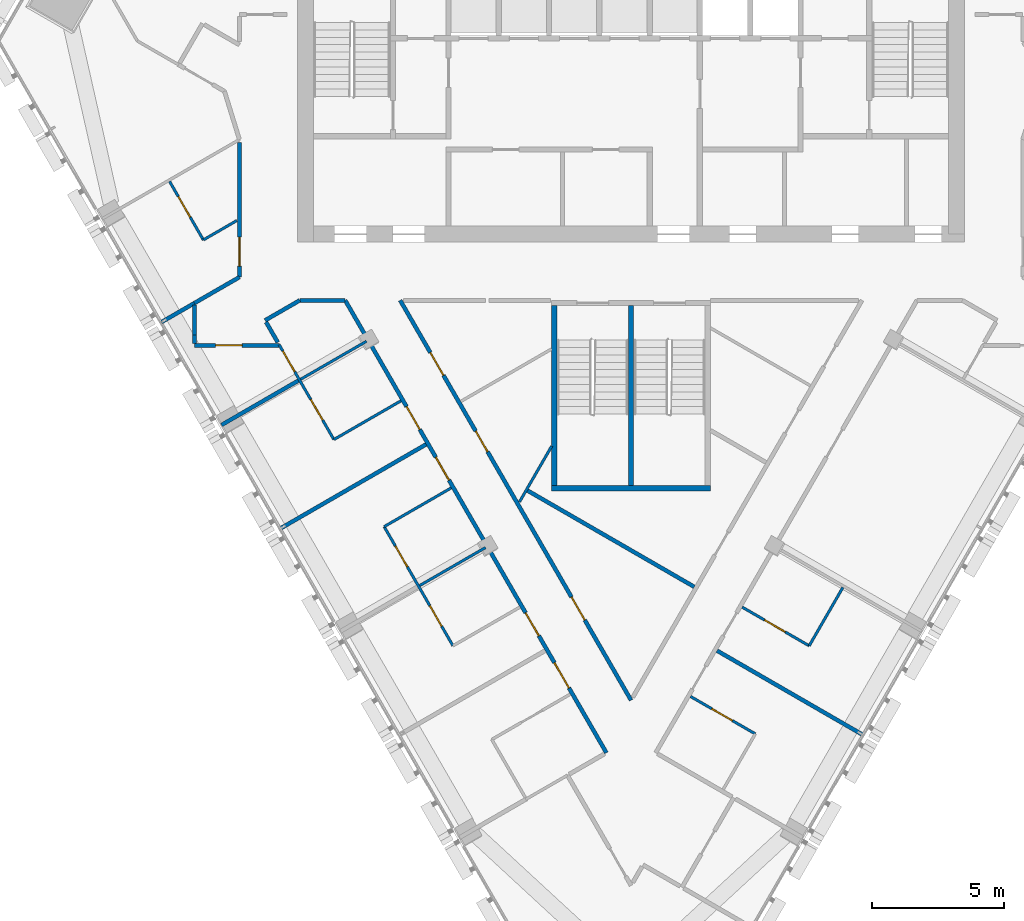
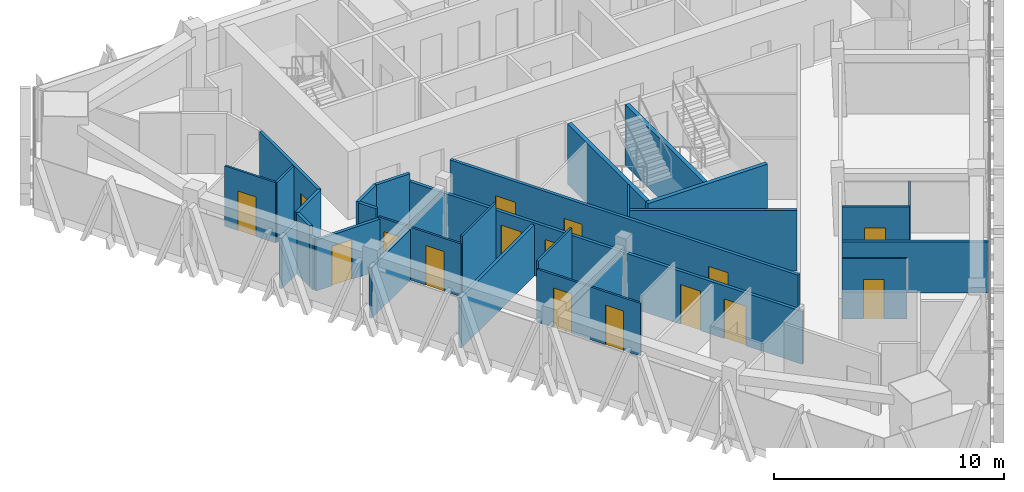
# One storey, part 8 of 15: 30 walls, 16 doors, 16 openings.
"""IFC4 building model written with IfcOpenShell, lengths in metres."""

from ifc_helpers import new_model, si_unit, direction, frame, frame_2d, origin, place, context, subcontext, project, spatial, rectangle, extrude, material, layer, layer_set, type_object, element, fill, save


model = new_model("IFC4")

# Units and contexts
model_context = context("Model", 3, precision=1e-05, world=origin(), true_north=direction((0.0, 1.0)))
body_context = subcontext(model_context, "Body", "Model", "MODEL_VIEW")
ifc_project = project(units=[si_unit("LENGTHUNIT", "METRE"), si_unit("AREAUNIT", "SQUARE_METRE"), si_unit("VOLUMEUNIT", "CUBIC_METRE"), si_unit("PLANEANGLEUNIT", "RADIAN"), si_unit("MASSUNIT", "GRAM", prefix="KILO")], contexts=[model_context])

# Site, building, storey
site_placement = place(None, origin())
site = spatial("IfcSite", under=ifc_project, at=site_placement, CompositionType="ELEMENT")
building_placement = place(site_placement, origin())
building = spatial("IfcBuilding", under=site, at=building_placement, Name="Altiplano Prism Tower", CompositionType="ELEMENT")
storey_placement = place(building_placement, frame((0.0, 0.0, 246.39990234375)))
storey = spatial("IfcBuildingStorey", under=building, at=storey_placement, Name="L63", CompositionType="ELEMENT", Elevation=246.39990234375)

# Wall
ifc_material_1 = material(Name="Plasterboard on steel stud", Category="steel")
ifc_layer_1 = layer(ifc_material_1, 0.10009765625)
ifc_layer_set_1 = layer_set([ifc_layer_1], Name="Plasterboard on steel stud")
wall_type_1 = type_object("IfcWallType", Name="Partition 100 unit", PredefinedType="PARTITIONING", material=ifc_layer_set_1)
wall_1_placement = place(storey_placement, frame((70.10009765625, 93.61279296875, 0.0), z_axis=(0.0, 0.0, 1.0), x_axis=(-0.866051847062, -0.499954196102, 0.0)))
element("IfcWall", 1, at=wall_1_placement, inside=storey, type_object=wall_type_1, Name="Partition P02 L63 049", PredefinedType="PARTITIONING", context=body_context, shape_type="SweptSolid", body=[
    extrude(rectangle(XDim=1.459228515625, YDim=0.10009765625, at=frame_2d((0.7294921875, 0.0))), origin(), (0.0, 0.0, 1.0), 3.2001953125),
])

# Wall, opening, door
wall_2_placement = place(storey_placement, frame((68.83642578125, 92.88330078125, 0.0), z_axis=(0.0, 0.0, 1.0), x_axis=(-0.499990435942, 0.866030925526, 0.0)))
wall_2 = element("IfcWall", 2, at=wall_2_placement, inside=storey, type_object=wall_type_1, Name="Partition P02 L63 050", PredefinedType="PARTITIONING", context=body_context, shape_type="SweptSolid", body=[
    extrude(rectangle(XDim=2.5498046875, YDim=0.10009765625, at=frame_2d((1.27490234375, 0.0))), origin(), (0.0, 0.0, 1.0), 3.2001953125),
])
opening_1_placement = place(wall_2_placement, frame((0.989990234375, 0.0, 0.0)))
opening_1 = element("IfcOpeningElement", 3, at=opening_1_placement, cuts=wall_2, Name="Opening D2053", PredefinedType="OPENING", context=body_context, shape_type="SweptSolid", body=[
    extrude(rectangle(XDim=0.89990234375, YDim=2.10009765625, at=frame_2d((0.449951171875, 1.050048828125))), frame((0.0, 0.060546875, 0.0), z_axis=(0.0, -1.0, 0.0), x_axis=(1.0, 0.0, 0.0)), (0.0, 0.0, 1.0), 0.12109375),
])
ifc_material_2 = material(Name="Timber", Category="wood")
door_type_1 = type_object("IfcDoorType", Name="Accessible ensuite door 900 x 2100", OperationType="NOTDEFINED", PredefinedType="NOTDEFINED", material=ifc_material_2)
door_1_placement = place(opening_1_placement, origin())
door_1 = element("IfcDoor", 4, at=door_1_placement, inside=storey, type_object=door_type_1, Name="Door D2053", OperationType="SINGLE_SWING_RIGHT", OverallHeight=2.10009765625, OverallWidth=0.89990234375, PredefinedType="NOTDEFINED", context=body_context, shape_type="SweptSolid", body=[
    extrude(rectangle(XDim=0.89990234375, YDim=2.10009765625, at=frame_2d((0.449951171875, 1.050048828125))), frame((0.0, 0.02490234375, 0.0), z_axis=(0.0, -1.0, 0.0), x_axis=(1.0, 0.0, 0.0)), (0.0, 0.0, 1.0), 0.050048828125),
])
fill(opening_1, door_1)

# Wall
wall_3_placement = place(storey_placement, frame((76.302490234375, 86.801513671875, 0.0), z_axis=(0.0, 0.0, 1.0), x_axis=(-0.866025730634, -0.499999433879, 0.0)))
element("IfcWall", 5, at=wall_3_placement, inside=storey, type_object=wall_type_1, Name="Partition P02 L63 054", PredefinedType="PARTITIONING", context=body_context, shape_type="SweptSolid", body=[
    extrude(rectangle(XDim=2.9248046875, YDim=0.10009765625, at=frame_2d((1.46240234375, 0.0))), origin(), (0.0, 0.0, 1.0), 3.2001953125),
])

# Wall, openings, doors
wall_4_placement = place(storey_placement, frame((73.76953125, 85.339111328125, 0.0), z_axis=(0.0, 0.0, 1.0), x_axis=(-0.500044441912, 0.865999743714, 0.0)))
wall_4 = element("IfcWall", 6, at=wall_4_placement, inside=storey, type_object=wall_type_1, Name="Partition P02 L63 055", PredefinedType="PARTITIONING", context=body_context, shape_type="SweptSolid", body=[
    extrude(rectangle(XDim=4.134765625, YDim=0.10009765625, at=frame_2d((2.0673828125, 0.0))), origin(), (0.0, 0.0, 1.0), 2.800048828125),
])
opening_2_placement = place(wall_4_placement, frame((2.9599609375, 0.0, 0.0)))
opening_2 = element("IfcOpeningElement", 7, at=opening_2_placement, cuts=wall_4, Name="Opening D2055", PredefinedType="OPENING", context=body_context, shape_type="SweptSolid", body=[
    extrude(rectangle(XDim=0.89990234375, YDim=2.10009765625, at=frame_2d((0.449951171875, 1.050048828125))), frame((0.0, 0.060546875, 0.0), z_axis=(0.0, -1.0, 0.0), x_axis=(1.0, 0.0, 0.0)), (0.0, 0.0, 1.0), 0.12109375),
])
opening_3_placement = place(wall_4_placement, frame((0.85009765625, 0.0, 0.0)))
opening_3 = element("IfcOpeningElement", 8, at=opening_3_placement, cuts=wall_4, Name="Opening D2057", PredefinedType="OPENING", context=body_context, shape_type="SweptSolid", body=[
    extrude(rectangle(XDim=0.89990234375, YDim=2.10009765625, at=frame_2d((0.449951171875, 1.050048828125))), frame((0.0, 0.060546875, 0.0), z_axis=(0.0, -1.0, 0.0), x_axis=(1.0, 0.0, 0.0)), (0.0, 0.0, 1.0), 0.12109375),
])
door_type_2 = type_object("IfcDoorType", Name="Ensuite door 900 x 2100", OperationType="NOTDEFINED", PredefinedType="NOTDEFINED", material=ifc_material_2)
door_2_placement = place(opening_2_placement, origin())
door_2 = element("IfcDoor", 9, at=door_2_placement, inside=storey, type_object=door_type_2, Name="Door D2055", OperationType="SINGLE_SWING_LEFT", OverallHeight=2.10009765625, OverallWidth=0.89990234375, PredefinedType="NOTDEFINED", context=body_context, shape_type="SweptSolid", body=[
    extrude(rectangle(XDim=0.89990234375, YDim=2.10009765625, at=frame_2d((0.449951171875, 1.050048828125))), frame((0.0, 0.02490234375, 0.0), z_axis=(0.0, -1.0, 0.0), x_axis=(1.0, 0.0, 0.0)), (0.0, 0.0, 1.0), 0.050048828125),
])
fill(opening_2, door_2)
door_3_placement = place(opening_3_placement, origin())
door_3 = element("IfcDoor", 10, at=door_3_placement, inside=storey, type_object=door_type_2, Name="Door D2057", OperationType="SINGLE_SWING_RIGHT", OverallHeight=2.10009765625, OverallWidth=0.89990234375, PredefinedType="NOTDEFINED", context=body_context, shape_type="SweptSolid", body=[
    extrude(rectangle(XDim=0.89990234375, YDim=2.10009765625, at=frame_2d((0.449951171875, 1.050048828125))), frame((0.0, 0.02490234375, 0.0), z_axis=(0.0, -1.0, 0.0), x_axis=(1.0, 0.0, 0.0)), (0.0, 0.0, 1.0), 0.050048828125),
])
fill(opening_3, door_3)

wall_5_placement = place(storey_placement, frame((78.26953125, 77.544921875, 0.0), z_axis=(0.0, 0.0, 1.0), x_axis=(-0.500027264788, 0.866009661879, 0.0)))
wall_5 = element("IfcWall", 11, at=wall_5_placement, inside=storey, type_object=wall_type_1, Name="Partition P02 L63 057", PredefinedType="PARTITIONING", context=body_context, shape_type="SweptSolid", body=[
    extrude(rectangle(XDim=5.199951171875, YDim=0.10009765625, at=frame_2d((2.60009765625, 0.0))), origin(), (0.0, 0.0, 1.0), 2.800048828125),
])
opening_4_placement = place(wall_5_placement, frame((3.449951171875, 0.0, 0.0)))
opening_4 = element("IfcOpeningElement", 12, at=opening_4_placement, cuts=wall_5, Name="Opening D2059", PredefinedType="OPENING", context=body_context, shape_type="SweptSolid", body=[
    extrude(rectangle(XDim=0.89990234375, YDim=2.10009765625, at=frame_2d((0.449951171875, 1.050048828125))), frame((0.0, 0.060546875, 0.0), z_axis=(0.0, -1.0, 0.0), x_axis=(1.0, 0.0, 0.0)), (0.0, 0.0, 1.0), 0.12109375),
])
opening_5_placement = place(wall_5_placement, frame((0.85009765625, 0.0, 0.0)))
opening_5 = element("IfcOpeningElement", 13, at=opening_5_placement, cuts=wall_5, Name="Opening D2061", PredefinedType="OPENING", context=body_context, shape_type="SweptSolid", body=[
    extrude(rectangle(XDim=0.89990234375, YDim=2.10009765625, at=frame_2d((0.449951171875, 1.050048828125))), frame((0.0, 0.060546875, 0.0), z_axis=(0.0, -1.0, 0.0), x_axis=(1.0, 0.0, 0.0)), (0.0, 0.0, 1.0), 0.12109375),
])
door_4_placement = place(opening_4_placement, origin())
door_4 = element("IfcDoor", 14, at=door_4_placement, inside=storey, type_object=door_type_2, Name="Door D2059", OperationType="SINGLE_SWING_LEFT", OverallHeight=2.10009765625, OverallWidth=0.89990234375, PredefinedType="NOTDEFINED", context=body_context, shape_type="SweptSolid", body=[
    extrude(rectangle(XDim=0.89990234375, YDim=2.10009765625, at=frame_2d((0.449951171875, 1.050048828125))), frame((0.0, 0.02490234375, 0.0), z_axis=(0.0, -1.0, 0.0), x_axis=(1.0, 0.0, 0.0)), (0.0, 0.0, 1.0), 0.050048828125),
])
fill(opening_4, door_4)
door_5_placement = place(opening_5_placement, origin())
door_5 = element("IfcDoor", 15, at=door_5_placement, inside=storey, type_object=door_type_2, Name="Door D2061", OperationType="SINGLE_SWING_RIGHT", OverallHeight=2.10009765625, OverallWidth=0.89990234375, PredefinedType="NOTDEFINED", context=body_context, shape_type="SweptSolid", body=[
    extrude(rectangle(XDim=0.89990234375, YDim=2.10009765625, at=frame_2d((0.449951171875, 1.050048828125))), frame((0.0, 0.02490234375, 0.0), z_axis=(0.0, -1.0, 0.0), x_axis=(1.0, 0.0, 0.0)), (0.0, 0.0, 1.0), 0.050048828125),
])
fill(opening_5, door_5)

# Wall
wall_6_placement = place(storey_placement, frame((75.66943359375, 82.048095703125, 0.0), z_axis=(0.0, 0.0, 1.0), x_axis=(0.86601045545, 0.500025890382, 0.0)))
element("IfcWall", 16, at=wall_6_placement, inside=storey, type_object=wall_type_1, Name="Partition P02 L63 058", PredefinedType="PARTITIONING", context=body_context, shape_type="SweptSolid", body=[
    extrude(rectangle(XDim=2.925048828125, YDim=0.10009765625, at=frame_2d((1.46240234375, 0.0))), origin(), (0.0, 0.0, 1.0), 3.2001953125),
])

# Wall, opening, door
wall_7_placement = place(storey_placement, frame((87.247314453125, 75.6298828125, 0.0), z_axis=(0.0, 0.0, 1.0), x_axis=(0.866011447264, -0.500024172624, 0.0)))
wall_7 = element("IfcWall", 17, at=wall_7_placement, inside=storey, type_object=wall_type_1, Name="Partition P02 L63 069", PredefinedType="PARTITIONING", context=body_context, shape_type="SweptSolid", body=[
    extrude(rectangle(XDim=2.824951171875, YDim=0.10009765625, at=frame_2d((1.41259765625, 0.0))), origin(), (0.0, 0.0, 1.0), 3.2001953125),
])
opening_6_placement = place(wall_7_placement, frame((0.925048828125, 0.0, 0.0)))
opening_6 = element("IfcOpeningElement", 18, at=opening_6_placement, cuts=wall_7, Name="Opening D2067", PredefinedType="OPENING", context=body_context, shape_type="SweptSolid", body=[
    extrude(rectangle(XDim=0.89990234375, YDim=2.10009765625, at=frame_2d((0.449951171875, 1.050048828125))), frame((0.0, 0.060546875, 0.0), z_axis=(0.0, -1.0, 0.0), x_axis=(1.0, 0.0, 0.0)), (0.0, 0.0, 1.0), 0.12109375),
])
door_6_placement = place(opening_6_placement, origin())
door_6 = element("IfcDoor", 19, at=door_6_placement, inside=storey, type_object=door_type_2, Name="Door D2067", OperationType="SINGLE_SWING_LEFT", OverallHeight=2.10009765625, OverallWidth=0.89990234375, PredefinedType="NOTDEFINED", context=body_context, shape_type="SweptSolid", body=[
    extrude(rectangle(XDim=0.89990234375, YDim=2.10009765625, at=frame_2d((0.449951171875, 1.050048828125))), frame((0.0, 0.02490234375, 0.0), z_axis=(0.0, -1.0, 0.0), x_axis=(1.0, 0.0, 0.0)), (0.0, 0.0, 1.0), 0.050048828125),
])
fill(opening_6, door_6)

# Wall
wall_8_placement = place(storey_placement, frame((93.005615234375, 79.753173828125, 0.0), z_axis=(0.0, 0.0, 1.0), x_axis=(-0.500062241894, -0.865989465428, 0.0)))
element("IfcWall", 20, at=wall_8_placement, inside=storey, type_object=wall_type_1, Name="Partition P02 L63 072", PredefinedType="PARTITIONING", context=body_context, shape_type="SweptSolid", body=[
    extrude(rectangle(XDim=2.550048828125, YDim=0.10009765625, at=frame_2d((1.27490234375, 0.0))), origin(), (0.0, 0.0, 1.0), 2.800048828125),
])

# Wall, opening, door
wall_9_placement = place(storey_placement, frame((91.73046875, 77.544921875, 0.0), z_axis=(0.0, 0.0, 1.0), x_axis=(-0.866025730634, 0.499999433879, 0.0)))
wall_9 = element("IfcWall", 21, at=wall_9_placement, inside=storey, type_object=wall_type_1, Name="Partition P02 L63 073", PredefinedType="PARTITIONING", context=body_context, shape_type="SweptSolid", body=[
    extrude(rectangle(XDim=2.9248046875, YDim=0.10009765625, at=frame_2d((1.46240234375, 0.0))), origin(), (0.0, 0.0, 1.0), 3.2001953125),
])
opening_7_placement = place(wall_9_placement, frame((1.050048828125, 0.0, 0.0)))
opening_7 = element("IfcOpeningElement", 22, at=opening_7_placement, cuts=wall_9, Name="Opening D2069", PredefinedType="OPENING", context=body_context, shape_type="SweptSolid", body=[
    extrude(rectangle(XDim=0.89990234375, YDim=2.10009765625, at=frame_2d((0.449951171875, 1.050048828125))), frame((0.0, 0.060546875, 0.0), z_axis=(0.0, -1.0, 0.0), x_axis=(1.0, 0.0, 0.0)), (0.0, 0.0, 1.0), 0.12109375),
])
door_7_placement = place(opening_7_placement, origin())
door_7 = element("IfcDoor", 23, at=door_7_placement, inside=storey, type_object=door_type_2, Name="Door D2069", OperationType="SINGLE_SWING_LEFT", OverallHeight=2.10009765625, OverallWidth=0.89990234375, PredefinedType="NOTDEFINED", context=body_context, shape_type="SweptSolid", body=[
    extrude(rectangle(XDim=0.89990234375, YDim=2.10009765625, at=frame_2d((0.449951171875, 1.050048828125))), frame((0.0, 0.02490234375, 0.0), z_axis=(0.0, -1.0, 0.0), x_axis=(1.0, 0.0, 0.0)), (0.0, 0.0, 1.0), 0.050048828125),
])
fill(opening_7, door_7)

# Walls
ifc_layer_2 = layer(ifc_material_1, 0.10009765625)
ifc_layer_set_2 = layer_set([ifc_layer_2], Name="Plasterboard on steel stud")
wall_type_2 = type_object("IfcWallType", Name="Partition 100 wet", PredefinedType="PARTITIONING", material=ifc_layer_set_2)
wall_10_placement = place(storey_placement, frame((80.78564453125, 82.98681640625, 0.0), z_axis=(0.0, 0.0, 1.0), x_axis=(0.500009607432, 0.86601985686, 0.0)))
element("IfcWall", 24, at=wall_10_placement, inside=storey, type_object=wall_type_2, Name="Partition P03 L63 043", PredefinedType="PARTITIONING", context=body_context, shape_type="SweptSolid", body=[
    extrude(rectangle(XDim=2.4287109375, YDim=0.10009765625, at=frame_2d((1.21435546875, 0.0))), origin(), (0.0, 0.0, 1.0), 3.2001953125),
])
for number, where, z_axis, x_axis, name in (
    (25, (72.5126953125, 87.61572265625, 0.0), (0.0, 0.0, 1.0), (0.866039941686, 0.499974818771, 0.0), "Partition P03 L63 053"),
    (26, (77.0126953125, 79.821533203125, 0.0), (0.0, 0.0, 1.0), (0.866039941686, 0.499974818771, 0.0), "Partition P03 L63 060"),
):
    element("IfcWall", number, at=place(storey_placement, frame(where, z_axis=z_axis, x_axis=x_axis)), inside=storey, type_object=wall_type_2, Name=name, PredefinedType="PARTITIONING", context=body_context, shape_type="SweptSolid", body=[
        extrude(rectangle(XDim=2.875244140625, YDim=0.10009765625, at=frame_2d((1.4375, 0.0))), origin(), (0.0, 0.0, 1.0), 2.800048828125),
    ])

# Wall, openings, doors
ifc_layer_3 = layer(ifc_material_1, 0.14990234375)
ifc_layer_set_3 = layer_set([ifc_layer_3], Name="Plasterboard on steel stud")
wall_type_3 = type_object("IfcWallType", Name="Partition 150 corridor", PredefinedType="PARTITIONING", material=ifc_layer_set_3)
wall_11_placement = place(storey_placement, frame((85.0, 75.4873046875, 0.0), z_axis=(0.0, 0.0, 1.0), x_axis=(-0.499998569178, 0.866026229868, 0.0)))
wall_11 = element("IfcWall", 27, at=wall_11_placement, inside=storey, type_object=wall_type_3, Name="Partition P06 L63 003", PredefinedType="PARTITIONING", context=body_context, shape_type="SweptSolid", body=[
    extrude(rectangle(XDim=17.45068359375, YDim=0.14990234375, at=frame_2d((8.725341796875, 0.0))), origin(), (0.0, 0.0, 1.0), 3.2001953125),
])
opening_8_placement = place(wall_11_placement, frame((10.843994140625, 0.0, 0.0)))
opening_8 = element("IfcOpeningElement", 28, at=opening_8_placement, cuts=wall_11, Name="Opening D2047", PredefinedType="OPENING", context=body_context, shape_type="SweptSolid", body=[
    extrude(rectangle(XDim=0.89990234375, YDim=2.10009765625, at=frame_2d((0.449951171875, 1.050048828125))), frame((0.0, 0.08544921875, 0.0), z_axis=(0.0, -1.0, 0.0), x_axis=(1.0, 0.0, 0.0)), (0.0, 0.0, 1.0), 0.1708984375),
])
opening_9_placement = place(wall_11_placement, frame((14.176025390625, 0.0, 0.0)))
opening_9 = element("IfcOpeningElement", 29, at=opening_9_placement, cuts=wall_11, Name="Opening D2050", PredefinedType="OPENING", context=body_context, shape_type="SweptSolid", body=[
    extrude(rectangle(XDim=1.0, YDim=2.10009765625, at=frame_2d((0.5, 1.050048828125))), frame((0.0, 0.08544921875, 0.0), z_axis=(0.0, -1.0, 0.0), x_axis=(1.0, 0.0, 0.0)), (0.0, 0.0, 1.0), 0.1708984375),
])
opening_10_placement = place(wall_11_placement, frame((3.5029296875, 0.0, 0.0)))
opening_10 = element("IfcOpeningElement", 30, at=opening_10_placement, cuts=wall_11, Name="Opening D2078", PredefinedType="OPENING", context=body_context, shape_type="SweptSolid", body=[
    extrude(rectangle(XDim=1.0, YDim=2.10009765625, at=frame_2d((0.5, 1.050048828125))), frame((0.0, 0.08544921875, 0.0), z_axis=(0.0, -1.0, 0.0), x_axis=(1.0, 0.0, 0.0)), (0.0, 0.0, 1.0), 0.1708984375),
])
door_type_3 = type_object("IfcDoorType", Name="Room door 1000 x 2100", OperationType="NOTDEFINED", PredefinedType="NOTDEFINED", material=ifc_material_2)
door_8_placement = place(opening_9_placement, origin())
door_8 = element("IfcDoor", 31, at=door_8_placement, inside=storey, type_object=door_type_3, Name="Door D2050", OperationType="SINGLE_SWING_RIGHT", OverallHeight=2.10009765625, OverallWidth=1.0, PredefinedType="NOTDEFINED", context=body_context, shape_type="SweptSolid", body=[
    extrude(rectangle(XDim=1.0, YDim=2.10009765625, at=frame_2d((0.5, 1.050048828125))), frame((0.0, 0.02490234375, 0.0), z_axis=(0.0, -1.0, 0.0), x_axis=(1.0, 0.0, 0.0)), (0.0, 0.0, 1.0), 0.050048828125),
])
fill(opening_9, door_8)
door_9_placement = place(opening_10_placement, origin())
door_9 = element("IfcDoor", 32, at=door_9_placement, inside=storey, type_object=door_type_3, Name="Door D2078", OperationType="SINGLE_SWING_RIGHT", OverallHeight=2.10009765625, OverallWidth=1.0, PredefinedType="NOTDEFINED", context=body_context, shape_type="SweptSolid", body=[
    extrude(rectangle(XDim=1.0, YDim=2.10009765625, at=frame_2d((0.5, 1.050048828125))), frame((0.0, 0.02490234375, 0.0), z_axis=(0.0, -1.0, 0.0), x_axis=(1.0, 0.0, 0.0)), (0.0, 0.0, 1.0), 0.050048828125),
])
fill(opening_10, door_9)
door_type_4 = type_object("IfcDoorType", Name="Toilet door 900 x 2100", OperationType="NOTDEFINED", PredefinedType="NOTDEFINED", material=ifc_material_2)
door_10_placement = place(opening_8_placement, origin())
door_10 = element("IfcDoor", 33, at=door_10_placement, inside=storey, type_object=door_type_4, Name="Door D2047", OperationType="SINGLE_SWING_RIGHT", OverallHeight=2.10009765625, OverallWidth=0.89990234375, PredefinedType="NOTDEFINED", context=body_context, shape_type="SweptSolid", body=[
    extrude(rectangle(XDim=0.89990234375, YDim=2.10009765625, at=frame_2d((0.449951171875, 1.050048828125))), frame((0.0, 0.02490234375, 0.0), z_axis=(0.0, -1.0, 0.0), x_axis=(1.0, 0.0, 0.0)), (0.0, 0.0, 1.0), 0.050048828125),
])
fill(opening_8, door_10)

# Wall
wall_12_placement = place(storey_placement, frame((70.199951171875, 91.4765625, 0.0), z_axis=(0.0, 0.0, 1.0), x_axis=(-0.86604843292, -0.499960110246, 0.0)))
element("IfcWall", 34, at=wall_12_placement, inside=storey, type_object=wall_type_3, Name="Partition P06 L63 008", PredefinedType="PARTITIONING", context=body_context, shape_type="SweptSolid", body=[
    extrude(rectangle(XDim=1.986083984375, YDim=0.14990234375, at=frame_2d((0.9931640625, 0.0))), origin(), (0.0, 0.0, 1.0), 3.2001953125),
])

# Wall, opening, door
wall_13_placement = place(storey_placement, frame((70.199951171875, 96.57177734375, 0.0), z_axis=(0.0, 0.0, 1.0), x_axis=(0.0, -1.0, 0.0)))
wall_13 = element("IfcWall", 35, at=wall_13_placement, inside=storey, type_object=wall_type_3, Name="Partition P06 L63 009", PredefinedType="PARTITIONING", context=body_context, shape_type="SweptSolid", body=[
    extrude(rectangle(XDim=5.09521484375, YDim=0.14990234375, at=frame_2d((2.547607421875, 0.0))), origin(), (0.0, 0.0, 1.0), 3.2001953125),
])
opening_11_placement = place(wall_13_placement, frame((3.5791015625, 0.0, 0.0)))
opening_11 = element("IfcOpeningElement", 36, at=opening_11_placement, cuts=wall_13, Name="Opening D2052", PredefinedType="OPENING", context=body_context, shape_type="SweptSolid", body=[
    extrude(rectangle(XDim=1.10009765625, YDim=2.10009765625, at=frame_2d((0.550048828125, 1.050048828125))), frame((0.0, 0.08544921875, 0.0), z_axis=(0.0, -1.0, 0.0), x_axis=(1.0, 0.0, 0.0)), (0.0, 0.0, 1.0), 0.1708984375),
])
door_type_5 = type_object("IfcDoorType", Name="Accessible bedroom door 1100 x 2100", OperationType="NOTDEFINED", PredefinedType="NOTDEFINED", material=ifc_material_2)
door_11_placement = place(opening_11_placement, origin())
door_11 = element("IfcDoor", 37, at=door_11_placement, inside=storey, type_object=door_type_5, Name="Door D2052", OperationType="SINGLE_SWING_RIGHT", OverallHeight=2.10009765625, OverallWidth=1.10009765625, PredefinedType="NOTDEFINED", context=body_context, shape_type="SweptSolid", body=[
    extrude(rectangle(XDim=1.10009765625, YDim=2.10009765625, at=frame_2d((0.550048828125, 1.050048828125))), frame((0.0, 0.02490234375, 0.0), z_axis=(0.0, -1.0, 0.0), x_axis=(1.0, 0.0, 0.0)), (0.0, 0.0, 1.0), 0.050048828125),
])
fill(opening_11, door_11)

# Walls
wall_14_placement = place(storey_placement, frame((68.5, 90.418701171875, 0.0), z_axis=(0.0, 0.0, 1.0), x_axis=(0.0, -1.0, 0.0)))
element("IfcWall", 38, at=wall_14_placement, inside=storey, type_object=wall_type_3, Name="Partition P06 L63 010", PredefinedType="PARTITIONING", context=body_context, shape_type="SweptSolid", body=[
    extrude(rectangle(XDim=1.135498046875, YDim=0.14990234375, at=frame_2d((0.56787109375, 0.0))), origin(), (0.0, 0.0, 1.0), 3.2001953125),
])
wall_15_placement = place(storey_placement, frame((68.5, 89.283203125, 0.0), z_axis=(0.0, 0.0, 1.0), x_axis=(0.0, -1.0, 0.0)))
element("IfcWall", 39, at=wall_15_placement, inside=storey, type_object=wall_type_3, Name="Partition P06 L63 011", PredefinedType="PARTITIONING", context=body_context, shape_type="SweptSolid", body=[
    extrude(rectangle(XDim=0.30810546875, YDim=0.14990234375, at=frame_2d((0.154052734375, 0.0))), origin(), (0.0, 0.0, 1.0), 2.7001953125),
])

# Wall, opening, door
wall_16_placement = place(storey_placement, frame((68.5, 88.89990234375, 0.0), z_axis=(0.0, 0.0, 1.0), x_axis=(1.0, 0.0, 0.0)))
wall_16 = element("IfcWall", 40, at=wall_16_placement, inside=storey, type_object=wall_type_3, Name="Partition P06 L63 012", PredefinedType="PARTITIONING", context=body_context, shape_type="SweptSolid", body=[
    extrude(rectangle(XDim=3.213623046875, YDim=0.14990234375, at=frame_2d((1.60693359375, 0.0))), origin(), (0.0, 0.0, 1.0), 2.7001953125),
])
opening_12_placement = place(wall_16_placement, frame((0.802001953125, 0.0, 0.0)))
opening_12 = element("IfcOpeningElement", 41, at=opening_12_placement, cuts=wall_16, Name="Opening D2054", PredefinedType="OPENING", context=body_context, shape_type="SweptSolid", body=[
    extrude(rectangle(XDim=1.0, YDim=2.10009765625, at=frame_2d((0.5, 1.050048828125))), frame((0.0, 0.08544921875, 0.0), z_axis=(0.0, -1.0, 0.0), x_axis=(1.0, 0.0, 0.0)), (0.0, 0.0, 1.0), 0.1708984375),
])
door_type_6 = type_object("IfcDoorType", Name="Bedroom entrance door 1000 x 2100", OperationType="NOTDEFINED", PredefinedType="NOTDEFINED", material=ifc_material_2)
door_12_placement = place(opening_12_placement, origin())
door_12 = element("IfcDoor", 42, at=door_12_placement, inside=storey, type_object=door_type_6, Name="Door D2054", OperationType="SINGLE_SWING_LEFT", OverallHeight=2.10009765625, OverallWidth=1.0, PredefinedType="NOTDEFINED", context=body_context, shape_type="SweptSolid", body=[
    extrude(rectangle(XDim=1.0, YDim=2.10009765625, at=frame_2d((0.5, 1.050048828125))), frame((0.0, 0.02490234375, 0.0), z_axis=(0.0, -1.0, 0.0), x_axis=(1.0, 0.0, 0.0)), (0.0, 0.0, 1.0), 0.050048828125),
])
fill(opening_12, door_12)

# Walls
wall_17_placement = place(storey_placement, frame((71.648681640625, 89.012451171875, 0.0), z_axis=(0.0, 0.0, 1.0), x_axis=(-0.500033502416, 0.866006060292, 0.0)))
element("IfcWall", 43, at=wall_17_placement, inside=storey, type_object=wall_type_3, Name="Partition P06 L63 013", PredefinedType="PARTITIONING", context=body_context, shape_type="SweptSolid", body=[
    extrude(rectangle(XDim=0.88330078125, YDim=0.14990234375, at=frame_2d((0.441650390625, 0.0))), origin(), (0.0, 0.0, 1.0), 3.2001953125),
])
wall_18_placement = place(storey_placement, frame((71.16943359375, 89.84228515625, 0.0), z_axis=(0.0, 0.0, 1.0), x_axis=(0.865973613648, 0.500089692421, 0.0)))
element("IfcWall", 44, at=wall_18_placement, inside=storey, type_object=wall_type_3, Name="Partition P06 L63 014", PredefinedType="PARTITIONING", context=body_context, shape_type="SweptSolid", body=[
    extrude(rectangle(XDim=1.515380859375, YDim=0.14990234375, at=frame_2d((0.7578125, 0.0))), origin(), (0.0, 0.0, 1.0), 3.2001953125),
])
wall_19_placement = place(storey_placement, frame((72.481689453125, 90.60009765625, 0.0), z_axis=(0.0, 0.0, 1.0), x_axis=(1.0, 0.0, 0.0)))
element("IfcWall", 45, at=wall_19_placement, inside=storey, type_object=wall_type_3, Name="Partition P06 L63 015", PredefinedType="PARTITIONING", context=body_context, shape_type="SweptSolid", body=[
    extrude(rectangle(XDim=1.714599609375, YDim=0.14990234375, at=frame_2d((0.857421875, 0.0))), origin(), (0.0, 0.0, 1.0), 3.2001953125),
])

# Wall, openings, doors
wall_20_placement = place(storey_placement, frame((74.1962890625, 90.60009765625, 0.0), z_axis=(0.0, 0.0, 1.0), x_axis=(0.499994700519, -0.86602846342, 0.0)))
wall_20 = element("IfcWall", 46, at=wall_20_placement, inside=storey, type_object=wall_type_3, Name="Partition P06 L63 016", PredefinedType="PARTITIONING", context=body_context, shape_type="SweptSolid", body=[
    extrude(rectangle(XDim=19.742919921875, YDim=0.14990234375, at=frame_2d((9.87158203125, 0.0))), origin(), (0.0, 0.0, 1.0), 2.800048828125),
])
opening_13_placement = place(wall_20_placement, frame((4.637939453125, 0.0, 0.0)))
opening_13 = element("IfcOpeningElement", 47, at=opening_13_placement, cuts=wall_20, Name="Opening D2056", PredefinedType="OPENING", context=body_context, shape_type="SweptSolid", body=[
    extrude(rectangle(XDim=1.0, YDim=2.10009765625, at=frame_2d((0.5, 1.050048828125))), frame((0.0, 0.08544921875, 0.0), z_axis=(0.0, -1.0, 0.0), x_axis=(1.0, 0.0, 0.0)), (0.0, 0.0, 1.0), 0.1708984375),
])
opening_14_placement = place(wall_20_placement, frame((6.846923828125, 0.0, 0.0)))
opening_14 = element("IfcOpeningElement", 48, at=opening_14_placement, cuts=wall_20, Name="Opening D2058", PredefinedType="OPENING", context=body_context, shape_type="SweptSolid", body=[
    extrude(rectangle(XDim=1.0, YDim=2.10009765625, at=frame_2d((0.5, 1.050048828125))), frame((0.0, 0.08544921875, 0.0), z_axis=(0.0, -1.0, 0.0), x_axis=(1.0, 0.0, 0.0)), (0.0, 0.0, 1.0), 0.1708984375),
])
opening_15_placement = place(wall_20_placement, frame((13.637939453125, 0.0, 0.0)))
opening_15 = element("IfcOpeningElement", 49, at=opening_15_placement, cuts=wall_20, Name="Opening D2060", PredefinedType="OPENING", context=body_context, shape_type="SweptSolid", body=[
    extrude(rectangle(XDim=1.0, YDim=2.10009765625, at=frame_2d((0.5, 1.050048828125))), frame((0.0, 0.08544921875, 0.0), z_axis=(0.0, -1.0, 0.0), x_axis=(1.0, 0.0, 0.0)), (0.0, 0.0, 1.0), 0.1708984375),
])
opening_16_placement = place(wall_20_placement, frame((15.81396484375, 0.0, 0.0)))
opening_16 = element("IfcOpeningElement", 50, at=opening_16_placement, cuts=wall_20, Name="Opening D2062", PredefinedType="OPENING", context=body_context, shape_type="SweptSolid", body=[
    extrude(rectangle(XDim=1.10009765625, YDim=2.10009765625, at=frame_2d((0.550048828125, 1.050048828125))), frame((0.0, 0.08544921875, 0.0), z_axis=(0.0, -1.0, 0.0), x_axis=(1.0, 0.0, 0.0)), (0.0, 0.0, 1.0), 0.1708984375),
])
door_13_placement = place(opening_16_placement, origin())
door_13 = element("IfcDoor", 51, at=door_13_placement, inside=storey, type_object=door_type_5, Name="Door D2062", OperationType="SINGLE_SWING_LEFT", OverallHeight=2.10009765625, OverallWidth=1.10009765625, PredefinedType="NOTDEFINED", context=body_context, shape_type="SweptSolid", body=[
    extrude(rectangle(XDim=1.10009765625, YDim=2.10009765625, at=frame_2d((0.550048828125, 1.050048828125))), frame((0.0, 0.02490234375, 0.0), z_axis=(0.0, -1.0, 0.0), x_axis=(1.0, 0.0, 0.0)), (0.0, 0.0, 1.0), 0.050048828125),
])
fill(opening_16, door_13)
door_14_placement = place(opening_13_placement, origin())
door_14 = element("IfcDoor", 52, at=door_14_placement, inside=storey, type_object=door_type_6, Name="Door D2056", OperationType="SINGLE_SWING_LEFT", OverallHeight=2.10009765625, OverallWidth=1.0, PredefinedType="NOTDEFINED", context=body_context, shape_type="SweptSolid", body=[
    extrude(rectangle(XDim=1.0, YDim=2.10009765625, at=frame_2d((0.5, 1.050048828125))), frame((0.0, 0.02490234375, 0.0), z_axis=(0.0, -1.0, 0.0), x_axis=(1.0, 0.0, 0.0)), (0.0, 0.0, 1.0), 0.050048828125),
])
fill(opening_13, door_14)
door_15_placement = place(opening_14_placement, origin())
door_15 = element("IfcDoor", 53, at=door_15_placement, inside=storey, type_object=door_type_6, Name="Door D2058", OperationType="SINGLE_SWING_RIGHT", OverallHeight=2.10009765625, OverallWidth=1.0, PredefinedType="NOTDEFINED", context=body_context, shape_type="SweptSolid", body=[
    extrude(rectangle(XDim=1.0, YDim=2.10009765625, at=frame_2d((0.5, 1.050048828125))), frame((0.0, 0.02490234375, 0.0), z_axis=(0.0, -1.0, 0.0), x_axis=(1.0, 0.0, 0.0)), (0.0, 0.0, 1.0), 0.050048828125),
])
fill(opening_14, door_15)
door_16_placement = place(opening_15_placement, origin())
door_16 = element("IfcDoor", 54, at=door_16_placement, inside=storey, type_object=door_type_6, Name="Door D2060", OperationType="SINGLE_SWING_LEFT", OverallHeight=2.10009765625, OverallWidth=1.0, PredefinedType="NOTDEFINED", context=body_context, shape_type="SweptSolid", body=[
    extrude(rectangle(XDim=1.0, YDim=2.10009765625, at=frame_2d((0.5, 1.050048828125))), frame((0.0, 0.02490234375, 0.0), z_axis=(0.0, -1.0, 0.0), x_axis=(1.0, 0.0, 0.0)), (0.0, 0.0, 1.0), 0.050048828125),
])
fill(opening_15, door_16)

# Walls
ifc_layer_4 = layer(ifc_material_1, 0.14990234375)
ifc_layer_set_4 = layer_set([ifc_layer_4], Name="Plasterboard on steel stud")
wall_type_4 = type_object("IfcWallType", Name="Partition 150 party", PredefinedType="PARTITIONING", material=ifc_layer_set_4)
wall_21_placement = place(storey_placement, frame((67.257568359375, 89.77783203125, 0.0), z_axis=(0.0, 0.0, 1.0), x_axis=(0.866035389965, 0.499982703029, 0.0)))
element("IfcWall", 55, at=wall_21_placement, inside=storey, type_object=wall_type_4, Name="Partition P01 L63 051", PredefinedType="PARTITIONING", context=body_context, shape_type="SweptSolid", body=[
    extrude(rectangle(XDim=1.4345703125, YDim=0.14990234375, at=frame_2d((0.71728515625, 0.0))), origin(), (0.0, 0.0, 1.0), 2.7001953125),
])
wall_22_placement = place(storey_placement, frame((69.52490234375, 85.890625, 0.0), z_axis=(0.0, 0.0, 1.0), x_axis=(0.866032680314, 0.499987396469, 0.0)))
element("IfcWall", 56, at=wall_22_placement, inside=storey, type_object=wall_type_4, Name="Partition P01 L63 052", PredefinedType="PARTITIONING", context=body_context, shape_type="SweptSolid", body=[
    extrude(rectangle(XDim=3.35009765625, YDim=0.14990234375, at=frame_2d((1.675048828125, 0.0))), origin(), (0.0, 0.0, 1.0), 2.7001953125),
])
for number, where, z_axis, x_axis, name in (
    (57, (71.757568359375, 81.9833984375, 0.0), (0.0, 0.0, 1.0), (0.866025401434, 0.500000004071, 0.0), "Partition P01 L63 056"),
    (58, (93.742431640625, 74.189208984375, 0.0), (0.0, 0.0, 1.0), (-0.866025401434, 0.500000004071, 0.0), "Partition P01 L63 071"),
):
    element("IfcWall", number, at=place(storey_placement, frame(where, z_axis=z_axis, x_axis=x_axis)), inside=storey, type_object=wall_type_4, Name=name, PredefinedType="PARTITIONING", context=body_context, shape_type="SweptSolid", body=[
        extrude(rectangle(XDim=6.34521484375, YDim=0.14990234375, at=frame_2d((3.172607421875, 0.0))), origin(), (0.0, 0.0, 1.0), 2.7001953125),
    ])
wall_23_placement = place(storey_placement, frame((87.3876953125, 79.77294921875, 0.0), z_axis=(0.0, 0.0, 1.0), x_axis=(-0.866024624053, 0.500001350532, 0.0)))
element("IfcWall", 59, at=wall_23_placement, inside=storey, type_object=wall_type_4, Name="Partition P01 L63 084", PredefinedType="PARTITIONING", context=body_context, shape_type="SweptSolid", body=[
    extrude(rectangle(XDim=7.2744140625, YDim=0.14990234375, at=frame_2d((3.63720703125, 0.0))), origin(), (0.0, 0.0, 1.0), 3.2001953125),
])
ifc_material_3 = material(Name="Concrete C60/75", Category="concrete")
ifc_layer_5 = layer(ifc_material_3, 0.199951171875)
ifc_layer_set_5 = layer_set([ifc_layer_5], Name="Concrete C60/75")
wall_type_5 = type_object("IfcWallType", Name="Stair wall 200", PredefinedType="SOLIDWALL", material=ifc_layer_set_5)
wall_24_placement = place(storey_placement, frame((82.0, 83.5, 0.0), z_axis=(0.0, 0.0, 1.0), x_axis=(1.0, 0.0, 0.0)))
element("IfcWall", 60, at=wall_24_placement, inside=storey, type_object=wall_type_5, Name="Stair 3 wall south L63", PredefinedType="SOLIDWALL", context=body_context, shape_type="SweptSolid", body=[
    extrude(rectangle(XDim=6.0, YDim=0.199951171875, at=frame_2d((3.0, 0.0))), origin(), (0.0, 0.0, 1.0), 3.2001953125),
])
for number, where, z_axis, x_axis, name in (
    (61, (82.10009765625, 83.60009765625, 0.0), (0.0, 0.0, 1.0), (0.0, 1.0, 0.0), "Stair 3 wall west L63"),
    (62, (85.0, 83.60009765625, 0.0), (0.0, 0.0, 1.0), (0.0, 1.0, 0.0), "Stair 3 wall divider L63"),
):
    element("IfcWall", number, at=place(storey_placement, frame(where, z_axis=z_axis, x_axis=x_axis)), inside=storey, type_object=wall_type_5, Name=name, PredefinedType="SOLIDWALL", context=body_context, shape_type="SweptSolid", body=[
        extrude(rectangle(XDim=6.7998046875, YDim=0.199951171875, at=frame_2d((3.39990234375, 0.0))), origin(), (0.0, 0.0, 1.0), 3.2001953125),
    ])

save(model, "model.ifc")
